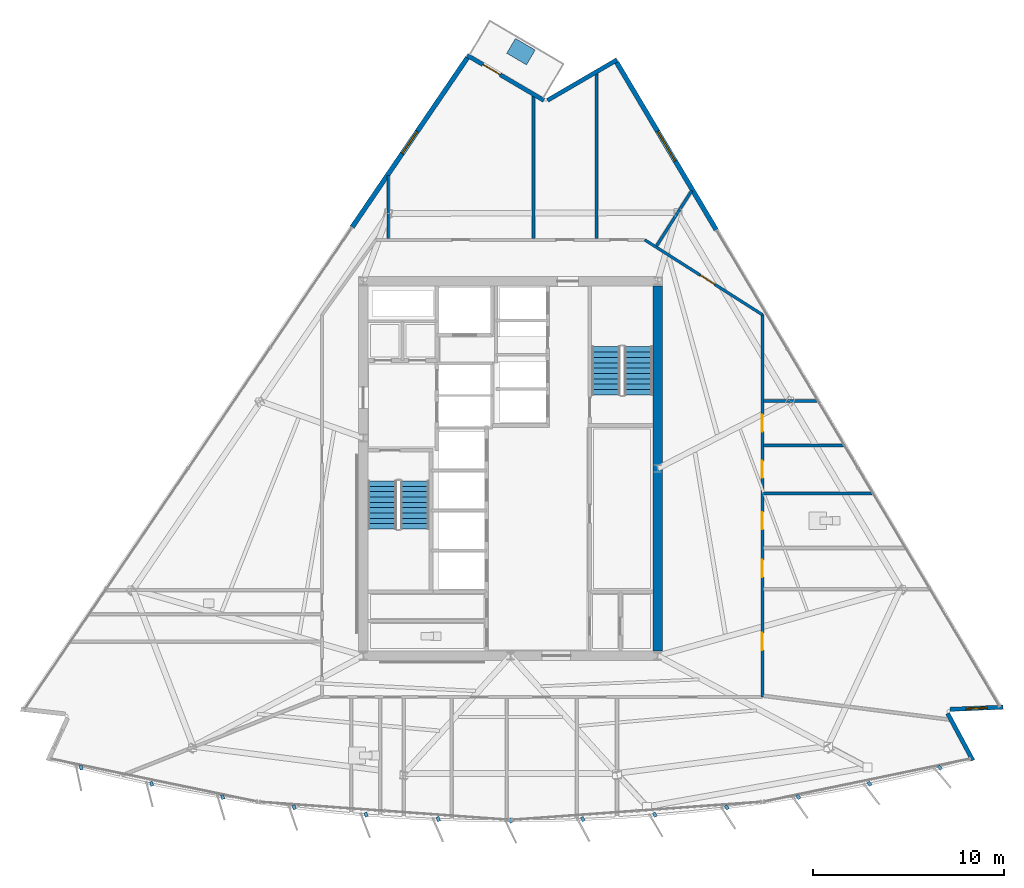
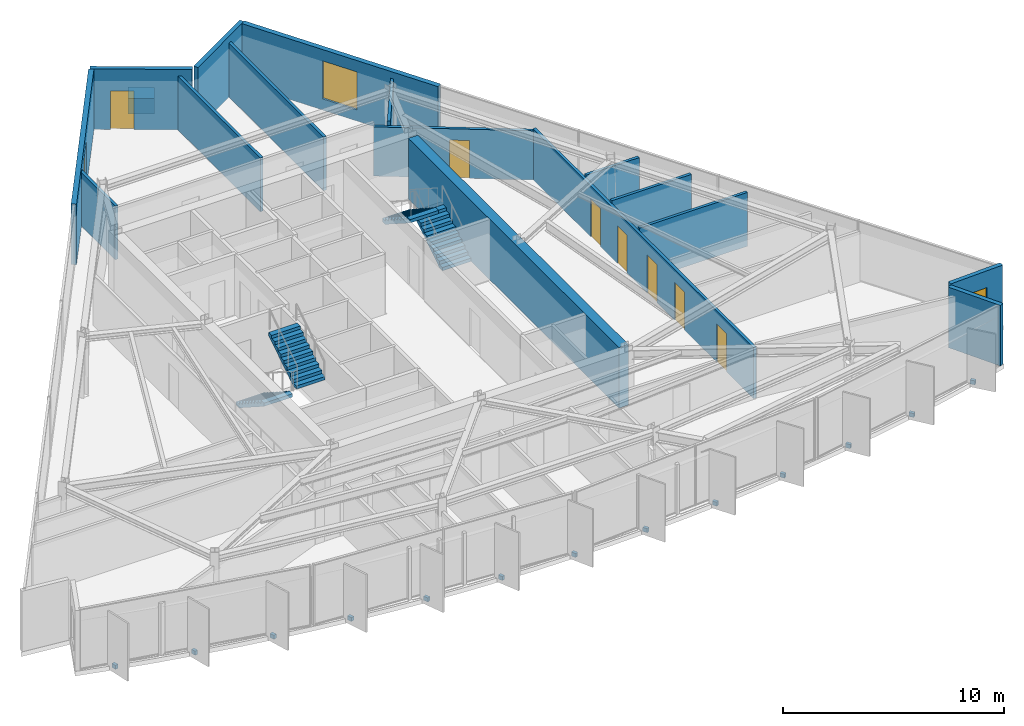
# One storey, part 10 of 15: 16 walls, 14 discrete accessories, 7 doors, 4 stair flights, 3 windows, 10 openings, 2 elements without a shape of their own.
"""IFC4 building model written with IfcOpenShell, lengths in metres."""

from ifc_helpers import new_model, si_unit, direction, frame, frame_2d, origin, origin_2d, place, context, subcontext, project, spatial, polyline, rectangle, outline, extrude, material, layer, layer_set, type_object, element, fill, aggregate, save


model = new_model("IFC4")

# Units and contexts
model_context = context("Model", 3, precision=1e-05, world=origin(), true_north=direction((0.0, 1.0)))
body_context = subcontext(model_context, "Body", "Model", "MODEL_VIEW")
ifc_project = project(units=[si_unit("LENGTHUNIT", "METRE"), si_unit("AREAUNIT", "SQUARE_METRE"), si_unit("VOLUMEUNIT", "CUBIC_METRE"), si_unit("PLANEANGLEUNIT", "RADIAN"), si_unit("MASSUNIT", "GRAM", prefix="KILO")], contexts=[model_context])

# Site, building, storey
site_placement = place(None, origin())
site = spatial("IfcSite", under=ifc_project, at=site_placement, CompositionType="ELEMENT")
building_placement = place(site_placement, origin())
building = spatial("IfcBuilding", under=site, at=building_placement, Name="Savorim Split Tower", CompositionType="ELEMENT")
storey_placement = place(building_placement, frame((0.0, 0.0, 212.699951171875)))
storey = spatial("IfcBuildingStorey", under=building, at=storey_placement, Name="L56", CompositionType="ELEMENT", Elevation=212.699951171875)

# Walls
ifc_material_1 = material(Name="Concrete C60/75", Category="concrete")
ifc_layer_1 = layer(ifc_material_1, 0.5)
ifc_layer_set_1 = layer_set([ifc_layer_1], Name="WAL-COR-SH500")
wall_type_1 = type_object("IfcWallType", Name="WAL-COR-SH500", PredefinedType="SHEAR", material=ifc_layer_set_1)
wall_1_placement = place(storey_placement, frame((7.699951171875, 9.949951171875, 0.0), z_axis=(0.0, 0.0, 1.0), x_axis=(0.0, -1.0, 0.0)))
element("IfcWall", 1, at=wall_1_placement, inside=storey, type_object=wall_type_1, Name="L56 Offset Core East Shear Wall", PredefinedType="SHEAR", context=body_context, shape_type="SweptSolid", body=[
    extrude(rectangle(XDim=19.099853515625, YDim=0.5, at=frame_2d((9.5498046875, 0.0))), origin(), (0.0, 0.0, 1.0), 3.35009765625),
])
ifc_material_2 = material(Name="Precast concrete C40/50", Category="concrete")
ifc_layer_2 = layer(ifc_material_2, 0.219970703125)
ifc_layer_set_2 = layer_set([ifc_layer_2], Name="WAL-EXT-CRN220")
wall_type_2 = type_object("IfcWallType", Name="WAL-EXT-CRN220", PredefinedType="SOLIDWALL", material=ifc_layer_set_2)
wall_2_placement = place(storey_placement, frame((22.86767578125, -12.414794921875, 0.0), z_axis=(0.0, 0.0, 1.0), x_axis=(0.472845900162, -0.881145138272, 0.0)))
element("IfcWall", 2, at=wall_2_placement, inside=storey, type_object=wall_type_2, Name="L56 Notched Corner Facade Wall SE1", PredefinedType="SOLIDWALL", context=body_context, shape_type="SweptSolid", body=[
    extrude(rectangle(XDim=2.78759765625, YDim=0.219970703125, at=frame_2d((1.393798828125, 0.0))), origin(), (0.0, 0.0, 1.0), 3.35009765625),
])

# Wall, opening, window
wall_3_placement = place(storey_placement, frame((25.77197265625, -12.082763671875, 0.0), z_axis=(0.0, 0.0, 1.0), x_axis=(-0.999095761456, -0.042516578425, 0.0)))
wall_3 = element("IfcWall", 3, at=wall_3_placement, inside=storey, type_object=wall_type_2, Name="L56 Notched Corner Facade Wall SE", PredefinedType="SOLIDWALL", context=body_context, shape_type="SweptSolid", body=[
    extrude(rectangle(XDim=2.784912109375, YDim=0.219970703125, at=frame_2d((1.392578125, 0.0))), origin(), (0.0, 0.0, 1.0), 3.35009765625),
])
opening_1_placement = place(wall_3_placement, frame((0.842529296875, 0.0, 0.6201171875)))
opening_1 = element("IfcOpeningElement", 4, at=opening_1_placement, cuts=wall_3, Name="Opening WN-09", PredefinedType="OPENING", context=body_context, shape_type="SweptSolid", body=[
    extrude(rectangle(XDim=1.10009765625, YDim=1.800048828125, at=frame_2d((0.550048828125, 0.89990234375))), frame((0.0, 0.119873046875, 0.0), z_axis=(0.0, -1.0, 0.0), x_axis=(1.0, 0.0, 0.0)), (0.0, 0.0, 1.0), 0.239990234375),
])
ifc_material_3 = material(Name="Low-E Operable Double Glazing", Category="glass")
window_type_1 = type_object("IfcWindowType", Name="WIN-TWR-1100x1800", PartitioningType="SINGLE_PANEL", PredefinedType="WINDOW", material=ifc_material_3)
window_1_placement = place(opening_1_placement, origin())
window_1 = element("IfcWindow", 5, at=window_1_placement, inside=storey, type_object=window_type_1, Name="L56 Operable Corner Window SE", OverallHeight=1.800048828125, OverallWidth=1.10009765625, PartitioningType="SINGLE_PANEL", PredefinedType="WINDOW", context=body_context, shape_type="SweptSolid", body=[
    extrude(rectangle(XDim=1.10009765625, YDim=1.800048828125, at=frame_2d((0.550048828125, 0.89990234375))), frame((0.0, 0.030029296875, 0.0), z_axis=(0.0, -1.0, 0.0), x_axis=(1.0, 0.0, 0.0)), (0.0, 0.0, 1.0), 0.06005859375),
])
fill(opening_1, window_1)

# Wall
wall_4_placement = place(storey_placement, frame((1.935302734375, 19.656494140625, 0.0), z_axis=(0.0, 0.0, 1.0), x_axis=(0.863987356641, 0.503513502862, 0.0)))
element("IfcWall", 6, at=wall_4_placement, inside=storey, type_object=wall_type_2, Name="L56 Notched Corner Facade Wall NE1", PredefinedType="SOLIDWALL", context=body_context, shape_type="SweptSolid", body=[
    extrude(rectangle(XDim=4.203857421875, YDim=0.219970703125, at=frame_2d((2.10205078125, 0.0))), origin(), (0.0, 0.0, 1.0), 3.35009765625),
])

# Wall, opening, door
wall_5_placement = place(storey_placement, frame((-2.25927734375, 22.01025390625, 0.0), z_axis=(0.0, 0.0, 1.0), x_axis=(0.862123324624, -0.506698503193, 0.0)))
wall_5 = element("IfcWall", 7, at=wall_5_placement, inside=storey, type_object=wall_type_2, Name="L56 Notched Corner Facade Wall N", PredefinedType="SOLIDWALL", context=body_context, shape_type="SweptSolid", body=[
    extrude(rectangle(XDim=4.644775390625, YDim=0.219970703125, at=frame_2d((2.322265625, 0.0))), origin(), (0.0, 0.0, 1.0), 3.35009765625),
])
opening_2_placement = place(wall_5_placement, frame((0.947509765625, 0.0, 0.0)))
opening_2 = element("IfcOpeningElement", 8, at=opening_2_placement, cuts=wall_5, Name="Opening DB-01", PredefinedType="OPENING", context=body_context, shape_type="SweptSolid", body=[
    extrude(rectangle(XDim=1.050048828125, YDim=2.14990234375, at=frame_2d((0.52490234375, 1.074951171875))), frame((0.0, 0.119873046875, 0.0), z_axis=(0.0, -1.0, 0.0), x_axis=(1.0, 0.0, 0.0)), (0.0, 0.0, 1.0), 0.239990234375),
])
ifc_material_4 = material(Name="Charcoal Anodised Aluminium", Category="aluminium")
door_type_1 = type_object("IfcDoorType", Name="DOR-BAL-1050", OperationType="NOTDEFINED", PredefinedType="DOOR", material=ifc_material_4)
door_1_placement = place(opening_2_placement, origin())
door_1 = element("IfcDoor", 9, at=door_1_placement, inside=storey, type_object=door_type_1, Name="DOR-L56-TBAL-N - L56 Planted Tree Balcony Door N", OperationType="SINGLE_SWING_LEFT", OverallHeight=2.14990234375, OverallWidth=1.050048828125, PredefinedType="DOOR", context=body_context, shape_type="SweptSolid", body=[
    extrude(rectangle(XDim=1.050048828125, YDim=2.14990234375, at=frame_2d((0.52490234375, 1.074951171875))), frame((0.0, 0.02490234375, 0.0), z_axis=(0.0, -1.0, 0.0), x_axis=(1.0, 0.0, 0.0)), (0.0, 0.0, 1.0), 0.050048828125),
])
fill(opening_2, door_1)

# Wall, opening, window
ifc_layer_3 = layer(ifc_material_2, 0.25)
ifc_layer_set_3 = layer_set([ifc_layer_3], Name="WAL-EXT-SPN250")
wall_type_3 = type_object("IfcWallType", Name="WAL-EXT-SPN250", PredefinedType="SOLIDWALL", material=ifc_layer_set_3)
wall_6_placement = place(storey_placement, frame((5.55078125, 21.646728515625, 0.0), z_axis=(0.0, 0.0, 1.0), x_axis=(0.511094988088, -0.859524236512, 0.0)))
wall_6 = element("IfcWall", 10, at=wall_6_placement, inside=storey, type_object=wall_type_3, Name="L56 East Operable Window Pier", PredefinedType="SOLIDWALL", context=body_context, shape_type="SweptSolid", body=[
    extrude(rectangle(XDim=10.199951171875, YDim=0.25, at=frame_2d((5.10009765625, 0.0))), origin(), (0.0, 0.0, 1.0), 3.35009765625),
])
opening_3_placement = place(wall_6_placement, frame((4.199951171875, 0.0, 0.6201171875)))
opening_3 = element("IfcOpeningElement", 11, at=opening_3_placement, cuts=wall_6, Name="Opening WN-04", PredefinedType="OPENING", context=body_context, shape_type="SweptSolid", body=[
    extrude(rectangle(XDim=1.800048828125, YDim=2.10009765625, at=frame_2d((0.89990234375, 1.050048828125))), frame((0.0, 0.135009765625, 0.0), z_axis=(0.0, -1.0, 0.0), x_axis=(1.0, 0.0, 0.0)), (0.0, 0.0, 1.0), 0.27001953125),
])
window_type_2 = type_object("IfcWindowType", Name="WIN-TWR-1800x2100", PartitioningType="DOUBLE_PANEL_VERTICAL", PredefinedType="WINDOW", material=ifc_material_3)
window_2_placement = place(opening_3_placement, origin())
window_2 = element("IfcWindow", 12, at=window_2_placement, inside=storey, type_object=window_type_2, Name="L56 East Operable Ventilation Window", OverallHeight=2.10009765625, OverallWidth=1.800048828125, PartitioningType="SINGLE_PANEL", PredefinedType="WINDOW", context=body_context, shape_type="SweptSolid", body=[
    extrude(rectangle(XDim=1.800048828125, YDim=2.10009765625, at=frame_2d((0.89990234375, 1.050048828125))), frame((0.0, 0.030029296875, 0.0), z_axis=(0.0, -1.0, 0.0), x_axis=(1.0, 0.0, 0.0)), (0.0, 0.0, 1.0), 0.06005859375),
])
fill(opening_3, window_2)

wall_7_placement = place(storey_placement, frame((-8.28369140625, 13.02587890625, 0.0), z_axis=(0.0, 0.0, 1.0), x_axis=(0.562468945091, 0.826818411629, 0.0)))
wall_7 = element("IfcWall", 13, at=wall_7_placement, inside=storey, type_object=wall_type_3, Name="L56 West Operable Window Pier", PredefinedType="SOLIDWALL", context=body_context, shape_type="SweptSolid", body=[
    extrude(rectangle(XDim=10.714111328125, YDim=0.25, at=frame_2d((5.35693359375, 0.0))), origin(), (0.0, 0.0, 1.0), 3.35009765625),
])
opening_4_placement = place(wall_7_placement, frame((4.656982421875, 0.0, 0.6201171875)))
opening_4 = element("IfcOpeningElement", 14, at=opening_4_placement, cuts=wall_7, Name="Opening WN-07", PredefinedType="OPENING", context=body_context, shape_type="SweptSolid", body=[
    extrude(rectangle(XDim=1.39990234375, YDim=2.0, at=frame_2d((0.699951171875, 1.0))), frame((0.0, 0.135009765625, 0.0), z_axis=(0.0, -1.0, 0.0), x_axis=(1.0, 0.0, 0.0)), (0.0, 0.0, 1.0), 0.27001953125),
])
window_type_3 = type_object("IfcWindowType", Name="WIN-TWR-1400x2000", PartitioningType="SINGLE_PANEL", PredefinedType="WINDOW", material=ifc_material_3)
window_3_placement = place(opening_4_placement, origin())
window_3 = element("IfcWindow", 15, at=window_3_placement, inside=storey, type_object=window_type_3, Name="L56 West Operable Ventilation Window", OverallHeight=2.0, OverallWidth=1.39990234375, PartitioningType="SINGLE_PANEL", PredefinedType="WINDOW", context=body_context, shape_type="SweptSolid", body=[
    extrude(rectangle(XDim=1.39990234375, YDim=2.0, at=frame_2d((0.699951171875, 1.0))), frame((0.0, 0.030029296875, 0.0), z_axis=(0.0, -1.0, 0.0), x_axis=(1.0, 0.0, 0.0)), (0.0, 0.0, 1.0), 0.06005859375),
])
fill(opening_4, window_3)

# Wall, opening, door
ifc_material_5 = material(Name="Acoustic Gypsum Partition Board")
ifc_layer_4 = layer(ifc_material_5, 0.14990234375)
ifc_layer_set_4 = layer_set([ifc_layer_4], Name="WAL-PAR-150")
wall_type_4 = type_object("IfcWallType", Name="WAL-PAR-150", PredefinedType="PARTITIONING", material=ifc_layer_set_4)
wall_8_placement = place(storey_placement, frame((7.023193359375, 12.360107421875, 0.0), z_axis=(0.0, 0.0, 1.0), x_axis=(0.84376480085, -0.536713108511, 0.0)))
wall_8 = element("IfcWall", 16, at=wall_8_placement, inside=storey, type_object=wall_type_4, Name="L56 Partition W-L56-COR-04", PredefinedType="PARTITIONING", context=body_context, shape_type="SweptSolid", body=[
    extrude(rectangle(XDim=7.296630859375, YDim=0.14990234375, at=frame_2d((3.6484375, 0.0))), origin(), (0.0, 0.0, 1.0), 2.72509765625),
])
opening_5_placement = place(wall_8_placement, frame((3.454833984375, 0.0, 0.0)))
opening_5 = element("IfcOpeningElement", 17, at=opening_5_placement, cuts=wall_8, Name="Opening DI-06", PredefinedType="OPENING", context=body_context, shape_type="SweptSolid", body=[
    extrude(rectangle(XDim=0.89990234375, YDim=2.10009765625, at=frame_2d((0.449951171875, 1.050048828125))), frame((0.0, 0.0849609375, 0.0), z_axis=(0.0, -1.0, 0.0), x_axis=(1.0, 0.0, 0.0)), (0.0, 0.0, 1.0), 0.169921875),
])
ifc_material_6 = material(Name="Timber Fire Door Leaf", Category="wood")
door_type_2 = type_object("IfcDoorType", Name="DOR-FIR-900", OperationType="NOTDEFINED", PredefinedType="DOOR", material=ifc_material_6)
door_2_placement = place(opening_5_placement, origin())
door_2 = element("IfcDoor", 18, at=door_2_placement, inside=storey, type_object=door_type_2, Name="DR-L56-RM17 - L56 Co-Working Commons Entry Door", OperationType="SINGLE_SWING_RIGHT", OverallHeight=2.10009765625, OverallWidth=0.89990234375, PredefinedType="DOOR", context=body_context, shape_type="SweptSolid", body=[
    extrude(rectangle(XDim=0.89990234375, YDim=2.10009765625, at=frame_2d((0.449951171875, 1.050048828125))), frame((0.0, 0.02490234375, 0.0), z_axis=(0.0, -1.0, 0.0), x_axis=(1.0, 0.0, 0.0)), (0.0, 0.0, 1.0), 0.050048828125),
])
fill(opening_5, door_2)

# Wall, openings, doors
wall_9_placement = place(storey_placement, frame((13.179931640625, 8.44384765625, 0.0), z_axis=(0.0, 0.0, 1.0), x_axis=(0.0, -1.0, 0.0)))
wall_9 = element("IfcWall", 19, at=wall_9_placement, inside=storey, type_object=wall_type_4, Name="L56 Partition W-L56-COR-05", PredefinedType="PARTITIONING", context=body_context, shape_type="SweptSolid", body=[
    extrude(rectangle(XDim=20.00390625, YDim=0.14990234375, at=frame_2d((10.001953125, 0.0))), origin(), (0.0, 0.0, 1.0), 2.824951171875),
])
opening_6_placement = place(wall_9_placement, frame((16.641357421875, 0.0, 0.0)))
opening_6 = element("IfcOpeningElement", 20, at=opening_6_placement, cuts=wall_9, Name="Opening DI-06", PredefinedType="OPENING", context=body_context, shape_type="SweptSolid", body=[
    extrude(rectangle(XDim=0.89990234375, YDim=2.10009765625, at=frame_2d((0.449951171875, 1.050048828125))), frame((0.0, 0.0849609375, 0.0), z_axis=(0.0, -1.0, 0.0), x_axis=(1.0, 0.0, 0.0)), (0.0, 0.0, 1.0), 0.169921875),
])
opening_7_placement = place(wall_9_placement, frame((12.830322265625, 0.0, 0.0)))
opening_7 = element("IfcOpeningElement", 21, at=opening_7_placement, cuts=wall_9, Name="Opening DI-06", PredefinedType="OPENING", context=body_context, shape_type="SweptSolid", body=[
    extrude(rectangle(XDim=0.89990234375, YDim=2.10009765625, at=frame_2d((0.449951171875, 1.050048828125))), frame((0.0, 0.0849609375, 0.0), z_axis=(0.0, -1.0, 0.0), x_axis=(1.0, 0.0, 0.0)), (0.0, 0.0, 1.0), 0.169921875),
])
opening_8_placement = place(wall_9_placement, frame((10.32373046875, 0.0, 0.0)))
opening_8 = element("IfcOpeningElement", 22, at=opening_8_placement, cuts=wall_9, Name="Opening DI-11", PredefinedType="OPENING", context=body_context, shape_type="SweptSolid", body=[
    extrude(rectangle(XDim=0.89990234375, YDim=2.10009765625, at=frame_2d((0.449951171875, 1.050048828125))), frame((0.0, 0.0849609375, 0.0), z_axis=(0.0, -1.0, 0.0), x_axis=(1.0, 0.0, 0.0)), (0.0, 0.0, 1.0), 0.169921875),
])
opening_9_placement = place(wall_9_placement, frame((7.640625, 0.0, 0.0)))
opening_9 = element("IfcOpeningElement", 23, at=opening_9_placement, cuts=wall_9, Name="Opening DI-06", PredefinedType="OPENING", context=body_context, shape_type="SweptSolid", body=[
    extrude(rectangle(XDim=0.89990234375, YDim=2.10009765625, at=frame_2d((0.449951171875, 1.050048828125))), frame((0.0, 0.0849609375, 0.0), z_axis=(0.0, -1.0, 0.0), x_axis=(1.0, 0.0, 0.0)), (0.0, 0.0, 1.0), 0.169921875),
])
opening_10_placement = place(wall_9_placement, frame((5.221923828125, 0.0, 0.0)))
opening_10 = element("IfcOpeningElement", 24, at=opening_10_placement, cuts=wall_9, Name="Opening DI-06", PredefinedType="OPENING", context=body_context, shape_type="SweptSolid", body=[
    extrude(rectangle(XDim=0.89990234375, YDim=2.10009765625, at=frame_2d((0.449951171875, 1.050048828125))), frame((0.0, 0.0849609375, 0.0), z_axis=(0.0, -1.0, 0.0), x_axis=(1.0, 0.0, 0.0)), (0.0, 0.0, 1.0), 0.169921875),
])
door_3_placement = place(opening_6_placement, origin())
door_3 = element("IfcDoor", 25, at=door_3_placement, inside=storey, type_object=door_type_2, Name="DR-L56-RM12 - L56 Co-Working Commons Entry Door", OperationType="SINGLE_SWING_LEFT", OverallHeight=2.10009765625, OverallWidth=0.89990234375, PredefinedType="DOOR", context=body_context, shape_type="SweptSolid", body=[
    extrude(rectangle(XDim=0.89990234375, YDim=2.10009765625, at=frame_2d((0.449951171875, 1.050048828125))), frame((0.0, 0.02490234375, 0.0), z_axis=(0.0, -1.0, 0.0), x_axis=(1.0, 0.0, 0.0)), (0.0, 0.0, 1.0), 0.050048828125),
])
fill(opening_6, door_3)
door_4_placement = place(opening_7_placement, origin())
door_4 = element("IfcDoor", 26, at=door_4_placement, inside=storey, type_object=door_type_2, Name="DR-L56-RM13 - L56 Co-Working Commons Entry Door", OperationType="SINGLE_SWING_RIGHT", OverallHeight=2.10009765625, OverallWidth=0.89990234375, PredefinedType="DOOR", context=body_context, shape_type="SweptSolid", body=[
    extrude(rectangle(XDim=0.89990234375, YDim=2.10009765625, at=frame_2d((0.449951171875, 1.050048828125))), frame((0.0, 0.02490234375, 0.0), z_axis=(0.0, -1.0, 0.0), x_axis=(1.0, 0.0, 0.0)), (0.0, 0.0, 1.0), 0.050048828125),
])
fill(opening_7, door_4)
door_5_placement = place(opening_9_placement, origin())
door_5 = element("IfcDoor", 27, at=door_5_placement, inside=storey, type_object=door_type_2, Name="DR-L56-RM15 - L56 Co-Working Commons Entry Door", OperationType="SINGLE_SWING_RIGHT", OverallHeight=2.10009765625, OverallWidth=0.89990234375, PredefinedType="DOOR", context=body_context, shape_type="SweptSolid", body=[
    extrude(rectangle(XDim=0.89990234375, YDim=2.10009765625, at=frame_2d((0.449951171875, 1.050048828125))), frame((0.0, 0.02490234375, 0.0), z_axis=(0.0, -1.0, 0.0), x_axis=(1.0, 0.0, 0.0)), (0.0, 0.0, 1.0), 0.050048828125),
])
fill(opening_9, door_5)
door_6_placement = place(opening_10_placement, origin())
door_6 = element("IfcDoor", 28, at=door_6_placement, inside=storey, type_object=door_type_2, Name="DR-L56-RM16 - L56 Co-Living Bedroom Entry Door", OperationType="SINGLE_SWING_LEFT", OverallHeight=2.10009765625, OverallWidth=0.89990234375, PredefinedType="DOOR", context=body_context, shape_type="SweptSolid", body=[
    extrude(rectangle(XDim=0.89990234375, YDim=2.10009765625, at=frame_2d((0.449951171875, 1.050048828125))), frame((0.0, 0.02490234375, 0.0), z_axis=(0.0, -1.0, 0.0), x_axis=(1.0, 0.0, 0.0)), (0.0, 0.0, 1.0), 0.050048828125),
])
fill(opening_10, door_6)
ifc_material_7 = material(Name="Oak Veneer Acoustic Door")
door_type_3 = type_object("IfcDoorType", Name="DOR-WC-900", OperationType="NOTDEFINED", PredefinedType="DOOR", material=ifc_material_7)
door_7_placement = place(opening_8_placement, origin())
door_7 = element("IfcDoor", 29, at=door_7_placement, inside=storey, type_object=door_type_3, Name="DR-L56-RM14 - L56 Shared Bathroom Entry Door", OperationType="SINGLE_SWING_LEFT", OverallHeight=2.10009765625, OverallWidth=0.89990234375, PredefinedType="DOOR", context=body_context, shape_type="SweptSolid", body=[
    extrude(rectangle(XDim=0.89990234375, YDim=2.10009765625, at=frame_2d((0.449951171875, 1.050048828125))), frame((0.0, 0.02490234375, 0.0), z_axis=(0.0, -1.0, 0.0), x_axis=(1.0, 0.0, 0.0)), (0.0, 0.0, 1.0), 0.050048828125),
])
fill(opening_8, door_7)

# Walls
wall_10_placement = place(storey_placement, frame((13.239990234375, 3.9375, 0.0), z_axis=(0.0, 0.0, 1.0), x_axis=(1.0, 0.0, 0.0)))
element("IfcWall", 30, at=wall_10_placement, inside=storey, type_object=wall_type_4, Name="L56 Partition W-L56-PRAD06", PredefinedType="PARTITIONING", context=body_context, shape_type="SweptSolid", body=[
    extrude(rectangle(XDim=2.782958984375, YDim=0.14990234375, at=frame_2d((1.3916015625, 0.0))), origin(), (0.0, 0.0, 1.0), 2.97509765625),
])
wall_11_placement = place(storey_placement, frame((7.638916015625, 12.03955078125, 0.0), z_axis=(0.0, 0.0, 1.0), x_axis=(0.536691494808, 0.843778548791, 0.0)))
element("IfcWall", 31, at=wall_11_placement, inside=storey, type_object=wall_type_4, Name="L56 Partition W-L56-PRAD07", PredefinedType="PARTITIONING", context=body_context, shape_type="SweptSolid", body=[
    extrude(rectangle(XDim=3.4345703125, YDim=0.14990234375, at=frame_2d((1.71728515625, 0.0))), origin(), (0.0, 0.0, 1.0), 2.97509765625),
])
wall_12_placement = place(storey_placement, frame((-6.391357421875, 12.419921875, 0.0), z_axis=(0.0, 0.0, 1.0), x_axis=(0.0, 1.0, 0.0)))
element("IfcWall", 32, at=wall_12_placement, inside=storey, type_object=wall_type_4, Name="L56 Partition W-L56-PRAD08", PredefinedType="PARTITIONING", context=body_context, shape_type="SweptSolid", body=[
    extrude(rectangle(XDim=3.298828125, YDim=0.14990234375, at=frame_2d((1.6494140625, 0.0))), origin(), (0.0, 0.0, 1.0), 2.97509765625),
])
wall_13_placement = place(storey_placement, frame((13.239990234375, -0.89990234375, 0.0), z_axis=(0.0, 0.0, 1.0), x_axis=(1.0, 0.0, 0.0)))
element("IfcWall", 33, at=wall_13_placement, inside=storey, type_object=wall_type_4, Name="L56 Partition W-L56-SUB04", PredefinedType="PARTITIONING", context=body_context, shape_type="SweptSolid", body=[
    extrude(rectangle(XDim=5.659423828125, YDim=0.14990234375, at=frame_2d((2.82958984375, 0.0))), origin(), (0.0, 0.0, 1.0), 2.97509765625),
])
wall_14_placement = place(storey_placement, frame((1.202392578125, 12.419921875, 0.0), z_axis=(0.0, 0.0, 1.0), x_axis=(0.0, 1.0, 0.0)))
element("IfcWall", 34, at=wall_14_placement, inside=storey, type_object=wall_type_4, Name="L56 Partition W-L56-SUB05", PredefinedType="PARTITIONING", context=body_context, shape_type="SweptSolid", body=[
    extrude(rectangle(XDim=7.497802734375, YDim=0.14990234375, at=frame_2d((3.7490234375, 0.0))), origin(), (0.0, 0.0, 1.0), 2.97509765625),
])
wall_15_placement = place(storey_placement, frame((13.239990234375, 1.6064453125, 0.0), z_axis=(0.0, 0.0, 1.0), x_axis=(1.0, 0.0, 0.0)))
element("IfcWall", 35, at=wall_15_placement, inside=storey, type_object=wall_type_4, Name="L56 Partition W-L56-SUB12", PredefinedType="PARTITIONING", context=body_context, shape_type="SweptSolid", body=[
    extrude(rectangle(XDim=4.1689453125, YDim=0.14990234375, at=frame_2d((2.08447265625, 0.0))), origin(), (0.0, 0.0, 1.0), 2.97509765625),
])
wall_16_placement = place(storey_placement, frame((4.50830078125, 12.419921875, 0.0), z_axis=(0.0, 0.0, 1.0), x_axis=(0.0, 1.0, 0.0)))
element("IfcWall", 36, at=wall_16_placement, inside=storey, type_object=wall_type_4, Name="L56 Partition W-L56-SUB13", PredefinedType="PARTITIONING", context=body_context, shape_type="SweptSolid", body=[
    extrude(rectangle(XDim=8.67822265625, YDim=0.14990234375, at=frame_2d((4.339111328125, 0.0))), origin(), (0.0, 0.0, 1.0), 2.97509765625),
])

# Stair, stair flights
ifc_material_8 = material(Name="Concrete C50/60", Category="concrete")
stair_type = type_object("IfcStairType", Name="STR-DOG-3600", PredefinedType="HALF_TURN_STAIR", material=ifc_material_8)
stair_1_placement = place(storey_placement, origin())
stair_1 = element("IfcStair", 37, at=stair_1_placement, inside=storey, type_object=stair_type, Name="L56 Core Protected Exit Stair ST-1", PredefinedType="HALF_TURN_STAIR")
stair_flight_type = type_object("IfcStairFlightType", Name="SFL-DOG-3600", PredefinedType="STRAIGHT", material=ifc_material_8)
stair_flight_1_placement = place(storey_placement, frame((-6.699951171875, -0.25, 0.0), z_axis=(0.0, 0.0, 1.0), x_axis=(0.0, -1.0, 0.0)))
stair_flight_1 = element("IfcStairFlight", 38, at=stair_flight_1_placement, type_object=stair_flight_type, Name="ST-1 flight 1", NumberOfRisers=10, NumberOfTreads=9, PredefinedType="STRAIGHT", RiserHeight=0.18, TreadLength=0.28, context=body_context, shape_type="SweptSolid", body=[
    extrude(outline(polyline([(0.0, 0.0), (0.0, 0.179931640625), (0.280029296875, 0.179931640625), (0.280029296875, 0.360107421875), (0.56005859375, 0.360107421875), (0.56005859375, 0.5400390625), (0.840087890625, 0.5400390625), (0.840087890625, 0.719970703125), (1.1201171875, 0.719970703125), (1.1201171875, 0.89990234375), (1.39990234375, 0.89990234375), (1.39990234375, 1.080078125), (1.679931640625, 1.080078125), (1.679931640625, 1.260009765625), (1.9599609375, 1.260009765625), (1.9599609375, 1.43994140625), (2.239990234375, 1.43994140625), (2.239990234375, 1.6201171875), (2.52001953125, 1.6201171875), (2.52001953125, 1.800048828125), (2.52001953125, 1.44189453125), (0.277099609375, 0.0), (0.0, 0.0)])), frame((0.0, 0.75, 0.0), z_axis=(0.0, -1.0, 0.0), x_axis=(1.0, 0.0, 0.0)), (0.0, 0.0, 1.0), 1.5),
])
stair_flight_2_placement = place(storey_placement, frame((-5.0, -2.77001953125, 1.800048828125), z_axis=(0.0, 0.0, 1.0), x_axis=(0.0, 1.0, 0.0)))
stair_flight_2 = element("IfcStairFlight", 39, at=stair_flight_2_placement, type_object=stair_flight_type, Name="ST-1 flight 2", NumberOfRisers=10, NumberOfTreads=9, PredefinedType="STRAIGHT", RiserHeight=0.18, TreadLength=0.28, context=body_context, shape_type="SweptSolid", body=[
    extrude(outline(polyline([(0.0, 0.0), (0.0, 0.179931640625), (0.280029296875, 0.179931640625), (0.280029296875, 0.360107421875), (0.56005859375, 0.360107421875), (0.56005859375, 0.5400390625), (0.840087890625, 0.5400390625), (0.840087890625, 0.719970703125), (1.1201171875, 0.719970703125), (1.1201171875, 0.89990234375), (1.39990234375, 0.89990234375), (1.39990234375, 1.080078125), (1.679931640625, 1.080078125), (1.679931640625, 1.260009765625), (1.9599609375, 1.260009765625), (1.9599609375, 1.43994140625), (2.239990234375, 1.43994140625), (2.239990234375, 1.6201171875), (2.52001953125, 1.6201171875), (2.52001953125, 1.800048828125), (2.52001953125, 1.44189453125), (0.277099609375, 0.0), (0.0, 0.0)])), frame((0.0, 0.75, 0.0), z_axis=(0.0, -1.0, 0.0), x_axis=(1.0, 0.0, 0.0)), (0.0, 0.0, 1.0), 1.5),
])
aggregate(stair_1, [stair_flight_1, stair_flight_2])

stair_2_placement = place(storey_placement, origin())
stair_2 = element("IfcStair", 40, at=stair_2_placement, inside=storey, type_object=stair_type, Name="L56 Core Protected Exit Stair ST-2", PredefinedType="HALF_TURN_STAIR")
stair_flight_3_placement = place(storey_placement, frame((6.699951171875, 4.25, 0.0), z_axis=(0.0, 0.0, 1.0), x_axis=(0.0, 1.0, 0.0)))
stair_flight_3 = element("IfcStairFlight", 41, at=stair_flight_3_placement, type_object=stair_flight_type, Name="ST-2 flight 1", NumberOfRisers=10, NumberOfTreads=9, PredefinedType="STRAIGHT", RiserHeight=0.18, TreadLength=0.28, context=body_context, shape_type="SweptSolid", body=[
    extrude(outline(polyline([(0.0, 0.0), (0.0, 0.179931640625), (0.280029296875, 0.179931640625), (0.280029296875, 0.360107421875), (0.56005859375, 0.360107421875), (0.56005859375, 0.5400390625), (0.840087890625, 0.5400390625), (0.840087890625, 0.719970703125), (1.1201171875, 0.719970703125), (1.1201171875, 0.89990234375), (1.39990234375, 0.89990234375), (1.39990234375, 1.080078125), (1.679931640625, 1.080078125), (1.679931640625, 1.260009765625), (1.9599609375, 1.260009765625), (1.9599609375, 1.43994140625), (2.239990234375, 1.43994140625), (2.239990234375, 1.6201171875), (2.52001953125, 1.6201171875), (2.52001953125, 1.800048828125), (2.52001953125, 1.44189453125), (0.277099609375, 0.0), (0.0, 0.0)])), frame((0.0, 0.75, 0.0), z_axis=(0.0, -1.0, 0.0), x_axis=(1.0, 0.0, 0.0)), (0.0, 0.0, 1.0), 1.5),
])
stair_flight_4_placement = place(storey_placement, frame((5.0, 6.77001953125, 1.800048828125), z_axis=(0.0, 0.0, 1.0), x_axis=(0.0, -1.0, 0.0)))
stair_flight_4 = element("IfcStairFlight", 42, at=stair_flight_4_placement, type_object=stair_flight_type, Name="ST-2 flight 2", NumberOfRisers=10, NumberOfTreads=9, PredefinedType="STRAIGHT", RiserHeight=0.18, TreadLength=0.28, context=body_context, shape_type="SweptSolid", body=[
    extrude(outline(polyline([(0.0, 0.0), (0.0, 0.179931640625), (0.280029296875, 0.179931640625), (0.280029296875, 0.360107421875), (0.56005859375, 0.360107421875), (0.56005859375, 0.5400390625), (0.840087890625, 0.5400390625), (0.840087890625, 0.719970703125), (1.1201171875, 0.719970703125), (1.1201171875, 0.89990234375), (1.39990234375, 0.89990234375), (1.39990234375, 1.080078125), (1.679931640625, 1.080078125), (1.679931640625, 1.260009765625), (1.9599609375, 1.260009765625), (1.9599609375, 1.43994140625), (2.239990234375, 1.43994140625), (2.239990234375, 1.6201171875), (2.52001953125, 1.6201171875), (2.52001953125, 1.800048828125), (2.52001953125, 1.44189453125), (0.277099609375, 0.0), (0.0, 0.0)])), frame((0.0, 0.75, 0.0), z_axis=(0.0, -1.0, 0.0), x_axis=(1.0, 0.0, 0.0)), (0.0, 0.0, 1.0), 1.5),
])
aggregate(stair_2, [stair_flight_3, stair_flight_4])

# Discrete accessories
ifc_material_9 = material(Name="Steel S355", Category="steel")
discrete_accessory_type_1 = type_object("IfcDiscreteAccessoryType", Name="ACC-BRK-FIN", PredefinedType="BRACKET", material=ifc_material_9)
for number, where, z_axis, x_axis, name in (
    (43, (-22.460205078125, -15.250732421875, -0.18994140625), (0.0, 0.0, 1.0), (0.206721626106, -0.978399800337, 0.0), "L56 Fin Slab-Edge Cleat Bracket 01"),
    (44, (-18.774658203125, -16.0947265625, -0.18994140625), (0.0, 0.0, 1.0), (0.246581250663, -0.969122121727, 0.0), "L56 Fin Slab-Edge Cleat Bracket 02"),
    (45, (-15.0576171875, -16.787109375, -0.18994140625), (0.0, 0.0, 1.0), (0.286026212504, -0.958221793616, 0.0), "L56 Fin Slab-Edge Cleat Bracket 03"),
    (46, (-11.315185546875, -17.326904296875, -0.18994140625), (0.0, 0.0, 1.0), (0.324993810493, -0.945716143005, 0.0), "L56 Fin Slab-Edge Cleat Bracket 04"),
    (47, (-7.55419921875, -17.713134765625, -0.18994140625), (0.0, 0.0, 1.0), (0.363415461732, -0.931627179817, 0.0), "L56 Fin Slab-Edge Cleat Bracket 05"),
    (48, (-3.7802734375, -17.945068359375, -0.18994140625), (0.0, 0.0, 1.0), (0.401230091723, -0.915977299662, 0.0), "L56 Fin Slab-Edge Cleat Bracket 06"),
    (49, (0.0, -18.0224609375, -0.18994140625), (0.0, 0.0, 1.0), (0.438371146789, -0.898794046299, 0.0), "L56 Fin Slab-Edge Cleat Bracket 07"),
    (50, (3.7802734375, -17.945068359375, -0.18994140625), (0.0, 0.0, 1.0), (0.474778051978, -0.880105562623, 0.0), "L56 Fin Slab-Edge Cleat Bracket 08"),
    (51, (7.55419921875, -17.713134765625, -0.18994140625), (0.0, 0.0, 1.0), (0.510391336723, -0.859942255851, 0.0), "L56 Fin Slab-Edge Cleat Bracket 09"),
    (52, (11.315185546875, -17.326904296875, -0.18994140625), (0.0, 0.0, 1.0), (0.545148321708, -0.838339613366, 0.0), "L56 Fin Slab-Edge Cleat Bracket 10"),
    (53, (15.0576171875, -16.787109375, -0.18994140625), (0.0, 0.0, 1.0), (0.578993757737, -0.815331974414, 0.0), "L56 Fin Slab-Edge Cleat Bracket 11"),
    (54, (18.774658203125, -16.0947265625, -0.18994140625), (0.0, 0.0, 1.0), (0.611868076908, -0.790959832394, 0.0), "L56 Fin Slab-Edge Cleat Bracket 12"),
    (55, (22.460205078125, -15.250732421875, -0.18994140625), (0.0, 0.0, 1.0), (0.643719022682, -0.765261928909, 0.0), "L56 Fin Slab-Edge Cleat Bracket 13"),
):
    element("IfcDiscreteAccessory", number, at=place(storey_placement, frame(where, z_axis=z_axis, x_axis=x_axis)), inside=storey, type_object=discrete_accessory_type_1, Name=name, PredefinedType="BRACKET", context=body_context, shape_type="SweptSolid", body=[
        extrude(rectangle(XDim=0.239990234375, YDim=0.159912109375, at=origin_2d()), origin(), (0.0, 0.0, 1.0), 0.219970703125),
    ])
ifc_material_10 = material(Name="Architectural Precast Planter Concrete C40/50", Category="concrete")
discrete_accessory_type_2 = type_object("IfcDiscreteAccessoryType", Name="ACC-PLN-TREE", PredefinedType="USERDEFINED", material=ifc_material_10)
discrete_accessory_placement = place(storey_placement, frame((0.548583984375, 22.204345703125, 0.0), z_axis=(0.0, 0.0, 1.0), x_axis=(-0.862124808883, 0.50669597779, 0.0)))
element("IfcDiscreteAccessory", 56, at=discrete_accessory_placement, inside=storey, type_object=discrete_accessory_type_2, Name="L56 Balcony Precast Tree Planter N", ObjectType="PLANTER", PredefinedType="USERDEFINED", context=body_context, shape_type="SweptSolid", body=[
    extrude(rectangle(XDim=1.199951171875, YDim=0.89990234375, at=origin_2d()), origin(), (0.0, 0.0, 1.0), 0.85009765625),
])

save(model, "model.ifc")
